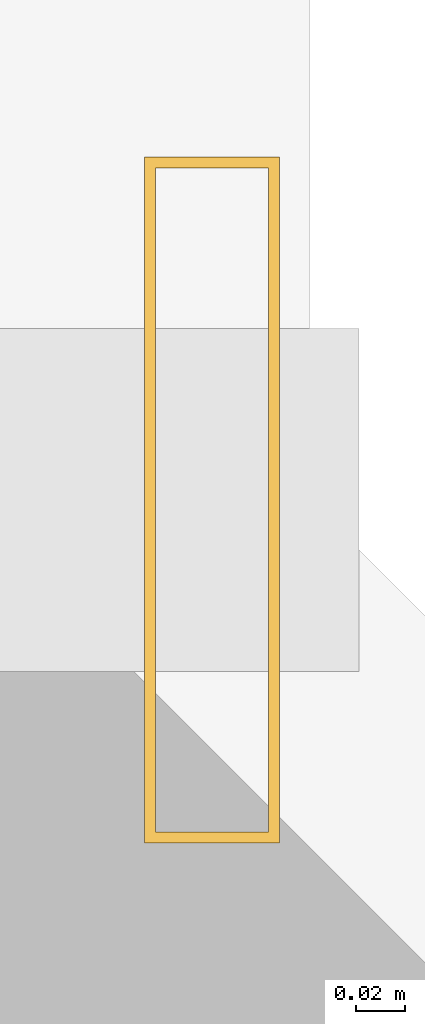
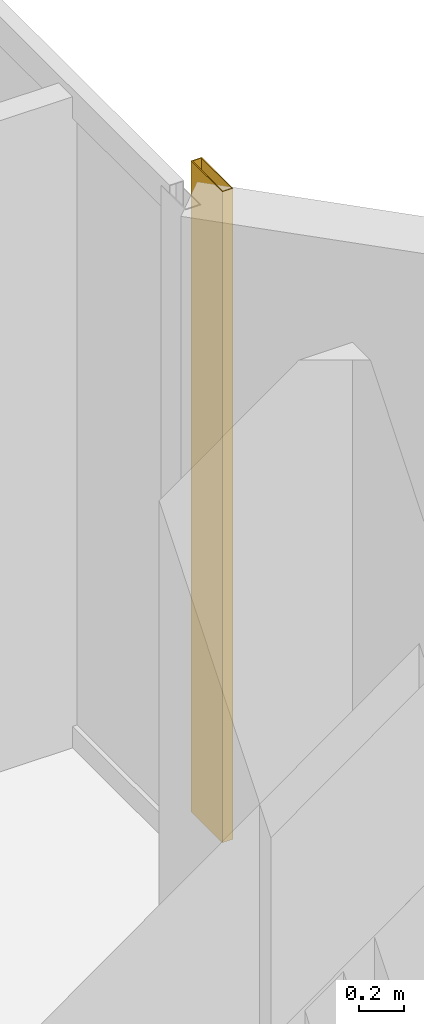
# One storey, part 21 of 23: 1 shading device.
"""IFC4 building model written with IfcOpenShell, lengths in metres."""

from ifc_helpers import new_model, si_unit, direction, frame, origin, origin_2d, place, context, subcontext, project, spatial, hollow_rectangle, extrude, material, material_profile, profile_set, type_object, element, save


model = new_model("IFC4")

# Units and contexts
model_context = context("Model", 3, precision=1e-05, world=origin(), true_north=direction((0.0, 1.0)))
body_context = subcontext(model_context, "Body", "Model", "MODEL_VIEW")
ifc_project = project(units=[si_unit("LENGTHUNIT", "METRE"), si_unit("AREAUNIT", "SQUARE_METRE"), si_unit("VOLUMEUNIT", "CUBIC_METRE"), si_unit("PLANEANGLEUNIT", "RADIAN"), si_unit("MASSUNIT", "GRAM", prefix="KILO")], contexts=[model_context])

# Site, building, storey
site_placement = place(None, origin())
site = spatial("IfcSite", under=ifc_project, at=site_placement, CompositionType="ELEMENT")
building_placement = place(site_placement, origin())
building = spatial("IfcBuilding", under=site, at=building_placement, Name="Kolvaren Waterfront Exchange", CompositionType="ELEMENT")
storey_placement = place(building_placement, frame((0.0, 0.0, 227.300048828125)))
storey = spatial("IfcBuildingStorey", under=building, at=storey_placement, Name="L58", CompositionType="ELEMENT", Elevation=227.300048828125)

# Shading device
ifc_material = material(Name="Anodised bronze aluminium 6063-T6", Category="aluminium")
ifc_material_profile = material_profile(ifc_material, hollow_rectangle(XDim=0.054931640625, YDim=0.280029296875, WallThickness=0.00439453125, at=origin_2d()), Name="BRZ-FIN-280x55x4.5")
ifc_profile_set = profile_set([ifc_material_profile], Name="Anodised bronze aluminium 6063-T6")
shading_device_type = type_object("IfcShadingDeviceType", Name="ARC-FIN-280", PredefinedType="USERDEFINED", material=ifc_profile_set)
shading_device_placement = place(storey_placement, frame((21.360107421875, 26.39990234375, 0.0), z_axis=(0.0, 0.0, 1.0), x_axis=(1.0, 0.0, 0.0)))
element("IfcShadingDevice", 1, at=shading_device_placement, inside=storey, type_object=shading_device_type, Name="L58 anodised bronze solar shading fin FIN-L58-E2", ObjectType="SOLAR FIN", PredefinedType="USERDEFINED", context=body_context, shape_type="SweptSolid", body=[
    extrude(hollow_rectangle(XDim=0.054931640625, YDim=0.280029296875, WallThickness=0.00439453125, at=origin_2d()), origin(), (0.0, 0.0, 1.0), 3.56005859375),
])

save(model, "model.ifc")
